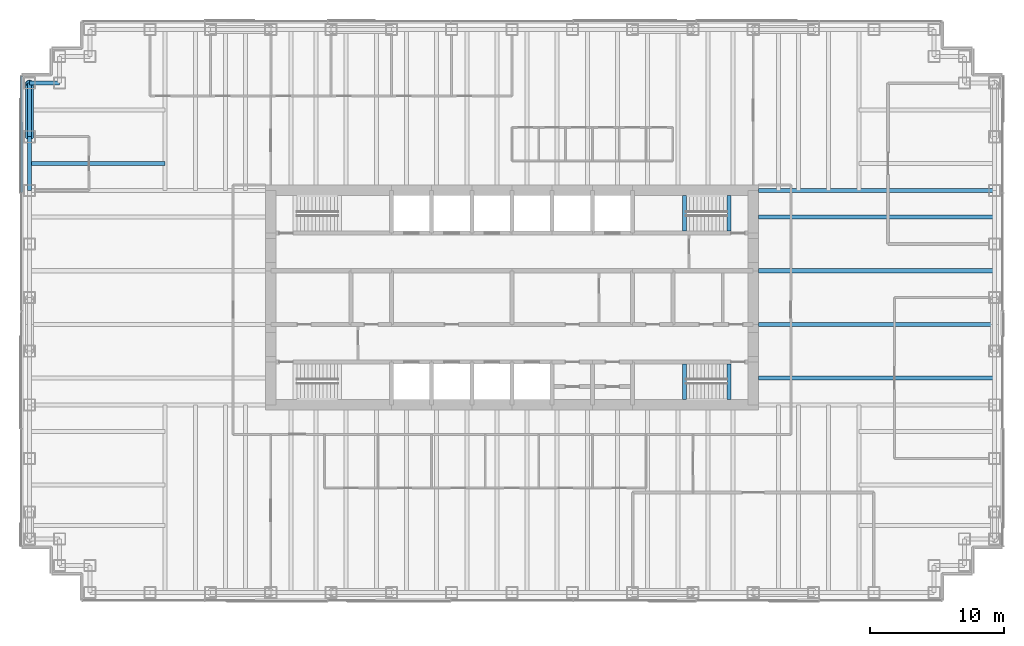
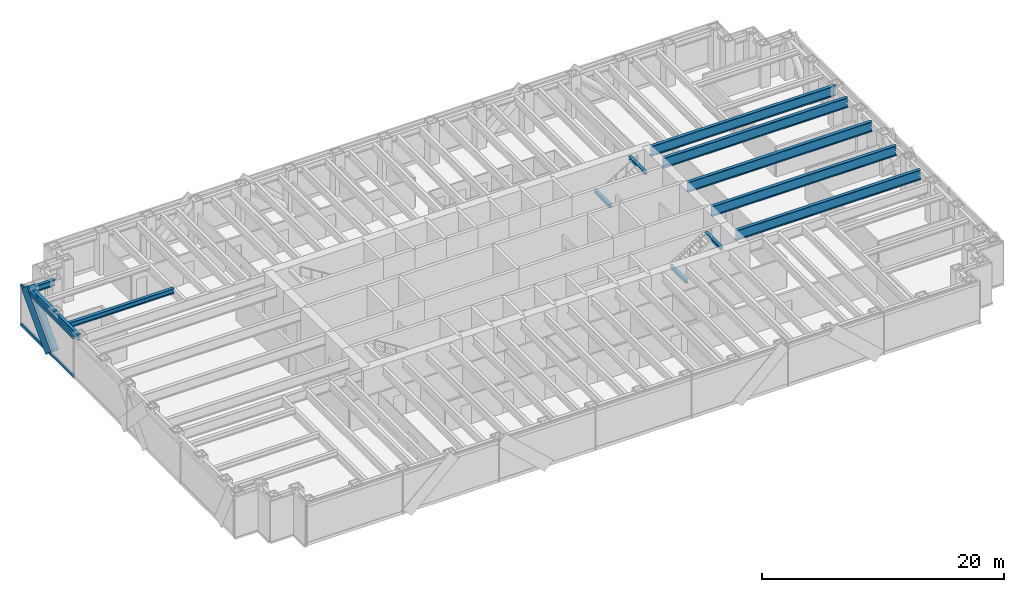
# One storey, part 4 of 14: 13 beams, 4 members, 1 element without a shape of its own.
"""IFC4 building model written with IfcOpenShell, lengths in metres."""

from ifc_helpers import new_model, si_unit, direction, frame, origin, origin_2d, place, context, subcontext, project, spatial, rectangle, hollow_circle, i_section, extrude, material, material_profile, profile_set, type_object, element, aggregate, save


model = new_model("IFC4")

# Units and contexts
model_context = context("Model", 3, precision=1e-05, world=origin(), true_north=direction((0.0, 1.0)))
body_context = subcontext(model_context, "Body", "Model", "MODEL_VIEW")
ifc_project = project(units=[si_unit("LENGTHUNIT", "METRE"), si_unit("AREAUNIT", "SQUARE_METRE"), si_unit("VOLUMEUNIT", "CUBIC_METRE"), si_unit("PLANEANGLEUNIT", "RADIAN"), si_unit("MASSUNIT", "GRAM", prefix="KILO")], contexts=[model_context])

# Site, building, storey
site_placement = place(None, origin())
site = spatial("IfcSite", under=ifc_project, at=site_placement, CompositionType="ELEMENT")
building_placement = place(site_placement, origin())
building = spatial("IfcBuilding", under=site, at=building_placement, Name="Rheinbord Bourse Tower", CompositionType="ELEMENT")
storey_placement = place(building_placement, frame((0.0, 0.0, 253.0)))
storey = spatial("IfcBuildingStorey", under=building, at=storey_placement, Name="L57", CompositionType="ELEMENT", Elevation=253.0)

# Curtain wall, members
ifc_material_1 = material(Name="Dark glass and black aluminium", Category="aluminium")
curtain_wall_type = type_object("IfcCurtainWallType", Name="CW2 DARK GLASS CURTAIN WALL", PredefinedType="USERDEFINED", material=ifc_material_1)
curtain_wall_placement = place(storey_placement, origin())
curtain_wall = element("IfcCurtainWall", 1, at=curtain_wall_placement, inside=storey, type_object=curtain_wall_type, Name="Curtain wall CW2 W L57", ObjectType="UNITISED CURTAIN WALL", PredefinedType="USERDEFINED")
ifc_material_2 = material(Name="Black anodised aluminium", Category="aluminium")
ifc_material_profile_1 = material_profile(ifc_material_2, rectangle(XDim=0.159912109375, YDim=1.2099609375, at=origin_2d()), Name="CW2 DIAGONAL MULLION 1210x160")
ifc_profile_set_1 = profile_set([ifc_material_profile_1], Name="Black anodised aluminium")
member_type_1 = type_object("IfcMemberType", Name="CW2 BLACK DIAGONAL MULLION", PredefinedType="USERDEFINED", material=ifc_profile_set_1)
member_1_placement = place(storey_placement, frame((-0.60009765625, 36.0, 0.0), z_axis=(0.0, 0.689659376744, 0.724133926887), x_axis=(-1.0, 0.0, 0.0)))
member_1 = element("IfcMember", 2, at=member_1_placement, type_object=member_type_1, Name="CW2 diagonal mullion c", ObjectType="DIAGONAL MULLION", PredefinedType="USERDEFINED", context=body_context, shape_type="SweptSolid", body=[
    extrude(rectangle(XDim=0.159912109375, YDim=1.2099609375, at=origin_2d()), origin(), (0.0, 0.0, 1.0), 5.800048828125),
])
ifc_material_3 = material(Name="Black anodised aluminium", Category="aluminium")
ifc_material_profile_2 = material_profile(ifc_material_3, rectangle(XDim=0.159912109375, YDim=0.300048828125, at=origin_2d()), Name="CW2 TRANSOM 300x160")
ifc_profile_set_2 = profile_set([ifc_material_profile_2], Name="Black anodised aluminium")
member_type_2 = type_object("IfcMemberType", Name="CW2 BLACK TRANSOM", PredefinedType="USERDEFINED", material=ifc_profile_set_2)
member_2_placement = place(storey_placement, frame((-0.60009765625, 40.530029296875, 0.14990234375), z_axis=(0.0, -1.0, 0.0), x_axis=(1.0, 0.0, 0.0)))
member_2 = element("IfcMember", 3, at=member_2_placement, type_object=member_type_2, Name="CW2 transom 1.1", ObjectType="TRANSOM", PredefinedType="USERDEFINED", context=body_context, shape_type="SweptSolid", body=[
    extrude(rectangle(XDim=0.159912109375, YDim=0.300048828125, at=origin_2d()), origin(), (0.0, 0.0, 1.0), 8.695068359375),
])
member_3_placement = place(storey_placement, frame((-0.60009765625, 40.530029296875, 4.050048828125), z_axis=(0.0, -1.0, 0.0), x_axis=(1.0, 0.0, 0.0)))
member_3 = element("IfcMember", 4, at=member_3_placement, type_object=member_type_2, Name="CW2 transom 1.2", ObjectType="TRANSOM", PredefinedType="USERDEFINED", context=body_context, shape_type="SweptSolid", body=[
    extrude(rectangle(XDim=0.159912109375, YDim=0.300048828125, at=origin_2d()), origin(), (0.0, 0.0, 1.0), 8.695068359375),
])
aggregate(curtain_wall, [member_2, member_3, member_1])

# Beams
ifc_material_4 = material(Name="Steel S460", Category="steel")
ifc_material_profile_3 = material_profile(ifc_material_4, i_section(OverallWidth=0.302001953125, OverallDepth=1.008056640625, WebThickness=0.02099609375, FlangeThickness=0.0400390625, at=origin_2d()), Name="HEM 1000")
ifc_profile_set_3 = profile_set([ifc_material_profile_3], Name="Steel S460")
beam_type_1 = type_object("IfcBeamType", Name="END BEAM HEM 1000", PredefinedType="BEAM", material=ifc_profile_set_3)
for number, where, z_axis, x_axis, name in (
    (5, (54.39990234375, 18.0, 3.535888671875), (1.0, 0.0, 0.0), (0.0, 1.0, 0.0), "End beam east 18 L58"),
    (6, (54.39990234375, 22.0, 3.535888671875), (1.0, 0.0, 0.0), (0.0, 1.0, 0.0), "End beam east 22 L58"),
    (7, (54.39990234375, 26.0, 3.535888671875), (1.0, 0.0, 0.0), (0.0, 1.0, 0.0), "End beam east 26 L58"),
    (8, (54.39990234375, 30.0, 3.535888671875), (1.0, 0.0, 0.0), (0.0, 1.0, 0.0), "End beam east 30 L58"),
):
    element("IfcBeam", number, at=place(storey_placement, frame(where, z_axis=z_axis, x_axis=x_axis)), inside=storey, type_object=beam_type_1, Name=name, PredefinedType="BEAM", context=body_context, shape_type="SweptSolid", body=[
        extrude(i_section(OverallWidth=0.302001953125, OverallDepth=1.008056640625, WebThickness=0.02099609375, FlangeThickness=0.0400390625, at=origin_2d()), origin(), (0.0, 0.0, 1.0), 17.60009765625),
    ])
ifc_material_5 = material(Name="Steel S460", Category="steel")
ifc_material_profile_4 = material_profile(ifc_material_5, i_section(OverallWidth=0.302001953125, OverallDepth=1.008056640625, WebThickness=0.02099609375, FlangeThickness=0.0400390625, at=origin_2d()), Name="HEM 1000")
ifc_profile_set_4 = profile_set([ifc_material_profile_4], Name="Steel S460")
beam_type_2 = type_object("IfcBeamType", Name="GIRDER HEM 1000", PredefinedType="BEAM", material=ifc_profile_set_4)
beam_1_placement = place(storey_placement, frame((54.39990234375, 32.0, 3.535888671875), z_axis=(1.0, 0.0, 0.0), x_axis=(0.0, 1.0, 0.0)))
element("IfcBeam", 9, at=beam_1_placement, inside=storey, type_object=beam_type_2, Name="Girder east 32 L58", PredefinedType="BEAM", context=body_context, shape_type="SweptSolid", body=[
    extrude(i_section(OverallWidth=0.302001953125, OverallDepth=1.008056640625, WebThickness=0.02099609375, FlangeThickness=0.0400390625, at=origin_2d()), origin(), (0.0, 0.0, 1.0), 17.60009765625),
])
ifc_material_6 = material(Name="Steel S460", Category="steel")
ifc_material_profile_5 = material_profile(ifc_material_6, i_section(OverallWidth=0.300048828125, OverallDepth=0.300048828125, WebThickness=0.010986328125, FlangeThickness=0.01904296875, at=origin_2d()), Name="HEB 300")
ifc_profile_set_5 = profile_set([ifc_material_profile_5], Name="Steel S460")
beam_type_3 = type_object("IfcBeamType", Name="LANDING TRIMMER HEB 300", PredefinedType="BEAM", material=ifc_profile_set_5)
for number, where, z_axis, x_axis, name in (
    (10, (48.8701171875, 16.39990234375, 1.75), (0.0, 1.0, 0.0), (-1.0, 0.0, 0.0), "Landing trimmer ST3 L57"),
    (11, (52.199951171875, 16.39990234375, 3.889892578125), (0.0, 1.0, 0.0), (-1.0, 0.0, 0.0), "Well trimmer ST3 under L58"),
    (12, (48.8701171875, 28.949951171875, 1.75), (0.0, 1.0, 0.0), (-1.0, 0.0, 0.0), "Landing trimmer ST4 L57"),
    (13, (52.199951171875, 28.949951171875, 3.889892578125), (0.0, 1.0, 0.0), (-1.0, 0.0, 0.0), "Well trimmer ST4 under L58"),
):
    element("IfcBeam", number, at=place(storey_placement, frame(where, z_axis=z_axis, x_axis=x_axis)), inside=storey, type_object=beam_type_3, Name=name, PredefinedType="BEAM", context=body_context, shape_type="SweptSolid", body=[
        extrude(i_section(OverallWidth=0.300048828125, OverallDepth=0.300048828125, WebThickness=0.010986328125, FlangeThickness=0.01904296875, at=origin_2d()), origin(), (0.0, 0.0, 1.0), 2.650146484375),
    ])

# Member
ifc_material_7 = material(Name="Steel S460", Category="steel")
ifc_material_profile_6 = material_profile(ifc_material_7, hollow_circle(Radius=0.304931640625, WallThickness=0.0400390625, at=origin_2d()), Name="CHS 610x40")
ifc_profile_set_6 = profile_set([ifc_material_profile_6], Name="Steel S460")
member_type_3 = type_object("IfcMemberType", Name="MEGABRACE CHS 610x40", PredefinedType="BRACE", material=ifc_profile_set_6)
member_4_placement = place(storey_placement, frame((0.0, 36.0, 0.0), z_axis=(0.0, 0.689659376744, 0.724133926887), x_axis=(-1.0, 0.0, 0.0)))
element("IfcMember", 14, at=member_4_placement, inside=storey, type_object=member_type_3, Name="Megabrace W face line c L57", PredefinedType="BRACE", context=body_context, shape_type="SweptSolid", body=[
    extrude(hollow_circle(Radius=0.304931640625, WallThickness=0.0400390625, at=origin_2d()), origin(), (0.0, 0.0, 1.0), 5.800048828125),
])

# Beams
ifc_material_8 = material(Name="Steel S460", Category="steel")
ifc_material_profile_7 = material_profile(ifc_material_8, i_section(OverallWidth=0.300048828125, OverallDepth=0.60009765625, WebThickness=0.015380859375, FlangeThickness=0.030029296875, at=origin_2d()), Name="HEB 600")
ifc_profile_set_7 = profile_set([ifc_material_profile_7], Name="Steel S460")
beam_type_4 = type_object("IfcBeamType", Name="SPANDREL HEB 600", PredefinedType="SPANDREL", material=ifc_profile_set_7)
beam_2_placement = place(storey_placement, frame((2.25, 40.0, 3.739990234375), z_axis=(-1.0, 0.0, 0.0), x_axis=(0.0, -1.0, 0.0)))
element("IfcBeam", 15, at=beam_2_placement, inside=storey, type_object=beam_type_4, Name="Spandrel NW-B-NW-A under L58", PredefinedType="SPANDREL", context=body_context, shape_type="SweptSolid", body=[
    extrude(i_section(OverallWidth=0.300048828125, OverallDepth=0.60009765625, WebThickness=0.015380859375, FlangeThickness=0.030029296875, at=origin_2d()), origin(), (0.0, 0.0, 1.0), 2.25),
])
for number, where, z_axis, x_axis, name in (
    (16, (0.0, 40.0, 3.739990234375), (0.0, -1.0, 0.0), (1.0, 0.0, 0.0), "Spandrel NW-A-W-36 under L58"),
    (17, (0.0, 36.0, 3.739990234375), (0.0, -1.0, 0.0), (1.0, 0.0, 0.0), "Spandrel W-36-W-32 under L58"),
):
    element("IfcBeam", number, at=place(storey_placement, frame(where, z_axis=z_axis, x_axis=x_axis)), inside=storey, type_object=beam_type_4, Name=name, PredefinedType="SPANDREL", context=body_context, shape_type="SweptSolid", body=[
        extrude(i_section(OverallWidth=0.300048828125, OverallDepth=0.60009765625, WebThickness=0.015380859375, FlangeThickness=0.030029296875, at=origin_2d()), origin(), (0.0, 0.0, 1.0), 4.0),
    ])
ifc_material_9 = material(Name="Steel S460", Category="steel")
ifc_material_profile_8 = material_profile(ifc_material_9, i_section(OverallWidth=0.300048828125, OverallDepth=0.5, WebThickness=0.014404296875, FlangeThickness=0.028076171875, at=origin_2d()), Name="HEB 500")
ifc_profile_set_8 = profile_set([ifc_material_profile_8], Name="Steel S460")
beam_type_5 = type_object("IfcBeamType", Name="TIE BEAM HEB 500", PredefinedType="JOIST", material=ifc_profile_set_8)
beam_3_placement = place(storey_placement, frame((0.0, 34.0, 3.7900390625), z_axis=(1.0, 0.0, 0.0), x_axis=(0.0, 1.0, 0.0)))
element("IfcBeam", 18, at=beam_3_placement, inside=storey, type_object=beam_type_5, Name="Tie west 34 L58", PredefinedType="JOIST", context=body_context, shape_type="SweptSolid", body=[
    extrude(i_section(OverallWidth=0.300048828125, OverallDepth=0.5, WebThickness=0.014404296875, FlangeThickness=0.028076171875, at=origin_2d()), origin(), (0.0, 0.0, 1.0), 10.125),
])

save(model, "model.ifc")
